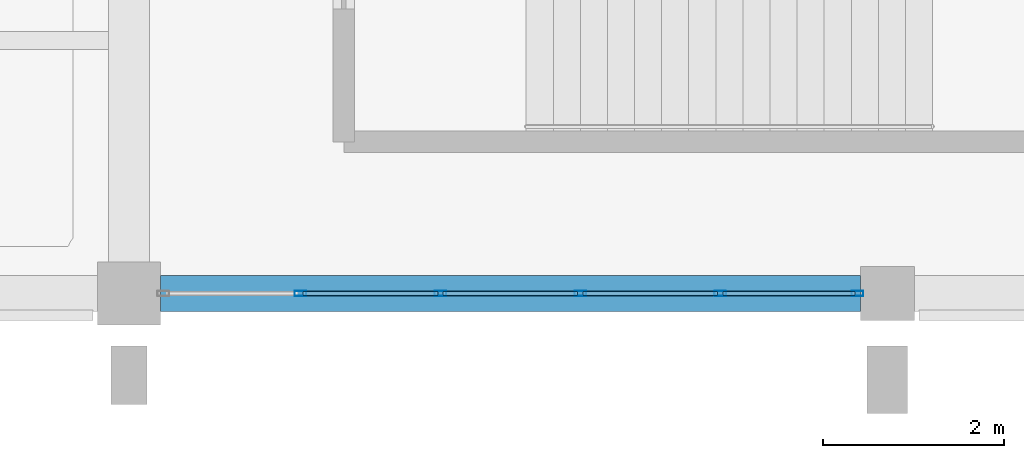
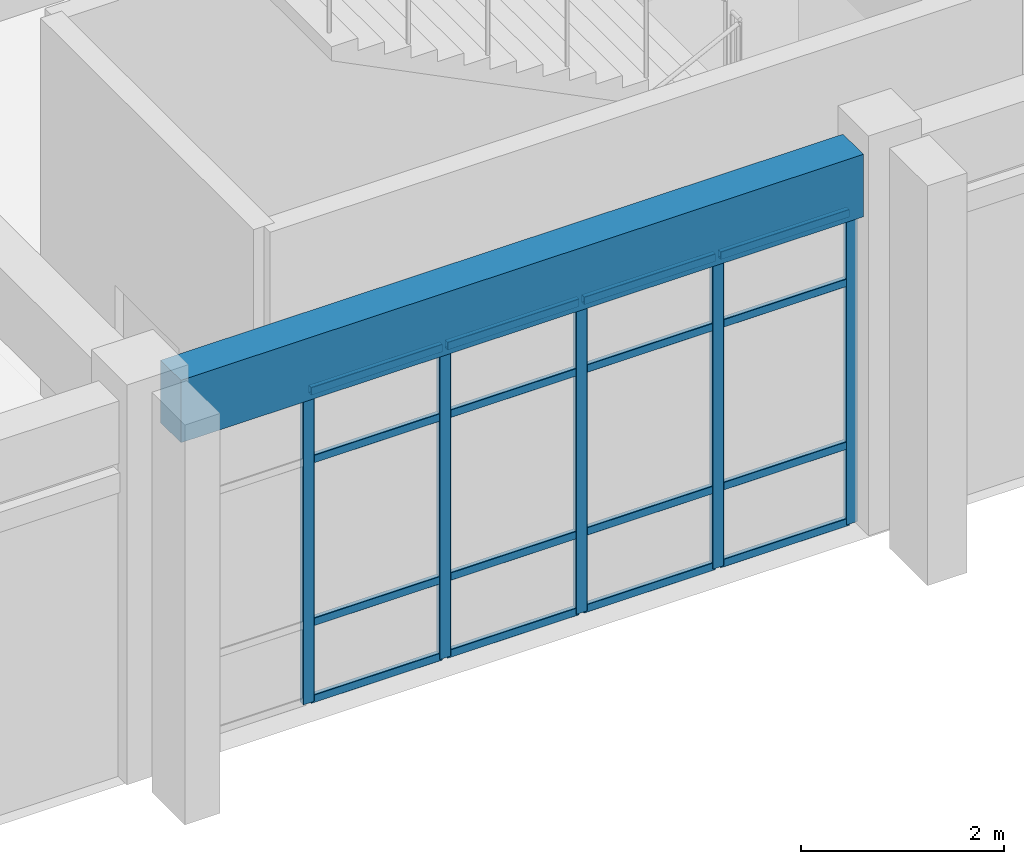
# One storey, part 28 of 98: 21 members, 1 beam, 1 element without a shape of its own.
"""IFC4 building model written with IfcOpenShell, lengths in metres."""

import ifcopenshell
import ifcopenshell.guid

model = None  # the IFC model being written
_history = None  # IfcOwnerHistory: only IFC2X3 demands one
_inside = {}  # id of a spatial element -> (the spatial element, [elements in it])
_under = {}  # id of a project, library or spatial element -> (it, [spatial elements below it])
_declared = {}  # id of a project -> (the project, [libraries it declares])
_typed = {}  # id of a type object -> (the type object, [elements of that type])
_made_of = {}  # id of a material, layer set ... -> (it, [elements and type objects made of it])


def new_model(schema):
    """Start an empty IFC model of exactly this schema.

    Asked for "IFC4X3", IfcOpenShell would pick the latest addendum, in which some entities
    have other attributes; the version numbers below select the first issue.
    IFC2X3 requires an IfcOwnerHistory on every rooted entity: one is made here for all.
    """
    global model, _history
    if schema == "IFC4X3":
        model = ifcopenshell.file(schema_version=(4, 3, 0, 0))
    else:
        model = ifcopenshell.file(schema=schema)
    _inside.clear()
    _under.clear()
    _declared.clear()
    _typed.clear()
    _made_of.clear()
    _history = None
    if model.schema == "IFC2X3":
        org = make("IfcOrganization", Name="unknown")
        user = make(
            "IfcPersonAndOrganization",
            ThePerson=make("IfcPerson", FamilyName="unknown"),
            TheOrganization=org,
        )
        app = make(
            "IfcApplication",
            ApplicationDeveloper=org,
            Version="unknown",
            ApplicationFullName="unknown",
            ApplicationIdentifier="unknown",
        )
        _history = make(
            "IfcOwnerHistory",
            OwningUser=user,
            OwningApplication=app,
            ChangeAction="ADDED",
            CreationDate=0,
        )
    return model


def make(cls, **values):
    """One entity of the class cls with the attributes given. An attribute that is None is left unset."""
    return model.create_entity(
        cls, **{name: value for name, value in values.items() if value is not None}
    )


def rooted(cls, **values):
    """An entity with a GlobalId (a new one), such as an element, a storey or a relation."""
    return make(cls, GlobalId=ifcopenshell.guid.new(), OwnerHistory=_history, **values)


def si_unit(unit_type, name, prefix=None):
    """IfcSIUnit, for example si_unit("LENGTHUNIT", "METRE", prefix="MILLI")."""
    return make("IfcSIUnit", UnitType=unit_type, Prefix=prefix, Name=name)


def assignment(units):
    """IfcUnitAssignment: the units of a project."""
    return None if units is None else make("IfcUnitAssignment", Units=units)


def point(xyz):
    """IfcCartesianPoint."""
    return None if xyz is None else make("IfcCartesianPoint", Coordinates=xyz)


def direction(xyz):
    """IfcDirection."""
    return None if xyz is None else make("IfcDirection", DirectionRatios=xyz)


def frame(location, z_axis=None, x_axis=None):
    """IfcAxis2Placement3D, a coordinate frame: its origin and axes. An axis left out is left unset."""
    return make(
        "IfcAxis2Placement3D",
        Location=point(location),
        Axis=direction(z_axis),
        RefDirection=direction(x_axis),
    )


def frame_2d(location, x_axis=None):
    """IfcAxis2Placement2D, a coordinate frame in the plane: its origin and x axis."""
    return make(
        "IfcAxis2Placement2D", Location=point(location), RefDirection=direction(x_axis)
    )


def origin():
    """The frame at (0, 0, 0) with its axes left unset."""
    return frame((0.0, 0.0, 0.0))


def origin_2d():
    """The frame at (0, 0) in the plane with its x axis left unset."""
    return frame_2d((0.0, 0.0))


def place(relative_to, where):
    """IfcLocalPlacement: puts the frame where relative to a parent placement (None: the world)."""
    return make(
        "IfcLocalPlacement", PlacementRelTo=relative_to, RelativePlacement=where
    )


def context(
    kind, dimensions, precision=None, world=None, true_north=None, identifier=None
):
    """IfcGeometricRepresentationContext, for example the 3D "Model" context."""
    return make(
        "IfcGeometricRepresentationContext",
        ContextIdentifier=identifier,
        ContextType=kind,
        CoordinateSpaceDimension=dimensions,
        Precision=precision,
        WorldCoordinateSystem=world,
        TrueNorth=true_north,
    )


def subcontext(parent, identifier, kind, view, scale=None):
    """IfcGeometricRepresentationSubContext, for example "Body" below "Model"."""
    return make(
        "IfcGeometricRepresentationSubContext",
        ContextIdentifier=identifier,
        ContextType=kind,
        ParentContext=parent,
        TargetScale=scale,
        TargetView=view,
    )


def project(units=None, contexts=None):
    """IfcProject with its units and contexts."""
    return rooted(
        "IfcProject",
        Name="project",
        RepresentationContexts=contexts,
        UnitsInContext=assignment(units),
    )


def spatial(cls, under=None, at=None, **own):
    """A site, building, storey or space (cls), placed at a placement, below another one or the project."""
    s = rooted(cls, ObjectPlacement=at, **own)
    if under is not None:
        _under.setdefault(under.id(), (under, []))[1].append(s)
    return s


def profile(cls, at=None, kind="AREA", **sizes):
    """A parametric profile (cls). Its sizes go by their IFC names, for example OverallWidth=200.0."""
    return make(cls, ProfileType=kind, Position=at, **sizes)


def rectangle(**sizes):
    """IfcRectangleProfileDef."""
    return profile("IfcRectangleProfileDef", **sizes)


def hollow_rectangle(**sizes):
    """IfcRectangleHollowProfileDef."""
    return profile("IfcRectangleHollowProfileDef", **sizes)


def extrude(swept, where, along, depth):
    """IfcExtrudedAreaSolid: the profile swept, set in the frame where, extruded along a direction by depth."""
    return make(
        "IfcExtrudedAreaSolid",
        SweptArea=swept,
        Position=where,
        ExtrudedDirection=direction(along),
        Depth=depth,
    )


def shape(context_of_items, identifier, shape_type, items):
    """IfcShapeRepresentation: the items that make up one representation, for example the "Body"."""
    return make(
        "IfcShapeRepresentation",
        ContextOfItems=context_of_items,
        RepresentationIdentifier=identifier,
        RepresentationType=shape_type,
        Items=items,
    )


def material(Name=None, Category=None):
    """IfcMaterial."""
    return make("IfcMaterial", Name=Name, Category=Category)


def material_profile(
    of_material, cross_section, Name=None, Category=None, Priority=None
):
    """IfcMaterialProfile: a cross section and its material."""
    return make(
        "IfcMaterialProfile",
        Name=Name,
        Material=of_material,
        Profile=cross_section,
        Priority=Priority,
        Category=Category,
    )


def profile_set(profiles, Name=None, composite=None):
    """IfcMaterialProfileSet."""
    return make(
        "IfcMaterialProfileSet",
        Name=Name,
        MaterialProfiles=profiles,
        CompositeProfile=composite,
    )


def made_of(thing, what):
    """Note that an element or type object is made of a material, layer set ...; save() writes the relation."""
    if what is not None:
        _made_of.setdefault(what.id(), (what, []))[1].append(thing)
    return thing


def type_object(cls, material=None, **own):
    """A type object (cls), such as IfcWallType, which elements share."""
    return made_of(rooted(cls, **own), material)


def element(
    cls,
    number,
    at=None,
    inside=None,
    cuts=None,
    type_object=None,
    material=None,
    context=None,
    identifier="Body",
    shape_type=None,
    held_by="IfcProductDefinitionShape",
    body=None,
    shapes=None,
    **own,
):
    """One element of the class cls, such as IfcWall. Its Tag is "e" and its number.

    at: its placement. inside: the storey or other place that contains it. cuts: it is an
    opening in that element (IfcRelVoidsElement). A single representation is given by context,
    identifier, shape_type and body (its items); several are given by shapes. held_by: the class
    of the entity that holds the representations. save() writes the other relations.
    """
    e = rooted(cls, Tag="e%d" % number, ObjectPlacement=at, **own)
    if body is not None:
        shapes = [shape(context, identifier, shape_type, body)]
    if shapes is not None:
        e.Representation = make(held_by, Representations=shapes)
    if inside is not None:
        _inside.setdefault(inside.id(), (inside, []))[1].append(e)
    if cuts is not None:
        rooted(
            "IfcRelVoidsElement", RelatingBuildingElement=cuts, RelatedOpeningElement=e
        )
    if type_object is not None:
        _typed.setdefault(type_object.id(), (type_object, []))[1].append(e)
    return made_of(e, material)


def aggregate(whole, parts):
    """IfcRelAggregates: a whole, such as a stair, and the parts it consists of."""
    return rooted("IfcRelAggregates", RelatingObject=whole, RelatedObjects=parts)


def save(model, path):
    """Write the relations noted so far, then the file.

    IfcRelAggregates (storeys below a building ...), IfcRelContainedInSpatialStructure (elements
    in a storey), IfcRelDefinesByType, IfcRelAssociatesMaterial and IfcRelDeclares: one each for
    every whole, place, type object, material and project.
    """
    for whole, parts in _under.values():
        aggregate(whole, parts)
    for where, things in _inside.values():
        rooted(
            "IfcRelContainedInSpatialStructure",
            RelatedElements=things,
            RelatingStructure=where,
        )
    for kind, things in _typed.values():
        rooted("IfcRelDefinesByType", RelatedObjects=things, RelatingType=kind)
    for what, things in _made_of.values():
        rooted("IfcRelAssociatesMaterial", RelatedObjects=things, RelatingMaterial=what)
    for by, libraries in _declared.values():
        rooted("IfcRelDeclares", RelatingContext=by, RelatedDefinitions=libraries)
    model.write(path)


model = new_model("IFC4")

# Units and contexts
model_context = context("Model", 3, precision=1e-05, world=origin(), true_north=direction((0.0, 1.0)))
body_context = subcontext(model_context, "Body", "Model", "MODEL_VIEW")
ifc_project = project(units=[si_unit("LENGTHUNIT", "METRE"), si_unit("AREAUNIT", "SQUARE_METRE"), si_unit("VOLUMEUNIT", "CUBIC_METRE"), si_unit("PLANEANGLEUNIT", "RADIAN"), si_unit("MASSUNIT", "GRAM", prefix="KILO")], contexts=[model_context])

# Site, building, storey
site_placement = place(None, origin())
site = spatial("IfcSite", under=ifc_project, at=site_placement, CompositionType="ELEMENT")
building_placement = place(site_placement, origin())
building = spatial("IfcBuilding", under=site, at=building_placement, Name="Canglan Escarpment Cableway Terminal", CompositionType="ELEMENT")
storey_placement = place(building_placement, frame((0.0, 0.0, 9.60009765625)))
storey = spatial("IfcBuildingStorey", under=building, at=storey_placement, Name="L02", CompositionType="ELEMENT", Elevation=9.60009765625)

# Curtain wall, members
ifc_material_1 = material(Name="Anodized bronze aluminium and Low-E double glazing", Category="aluminium")
curtain_wall_type = type_object("IfcCurtainWallType", Name="CW-BAY-7750x3750", PredefinedType="NOTDEFINED", material=ifc_material_1)
curtain_wall_placement = place(storey_placement, origin())
curtain_wall = element("IfcCurtainWall", 1, at=curtain_wall_placement, inside=storey, type_object=curtain_wall_type, Name="Classical bay-between-piers glazed curtain wall CW-07", PredefinedType="NOTDEFINED")
ifc_material_2 = material(Name="Thermally broken anodized aluminium 6063-T6", Category="aluminium")
ifc_material_profile_1 = material_profile(ifc_material_2, hollow_rectangle(XDim=0.06005859375, YDim=0.1298828125, WallThickness=0.0029296875, InnerFilletRadius=0.0029296875, OuterFilletRadius=0.006103515625, at=origin_2d()), Name="ALU-MULL 60x130x3")
ifc_profile_set_1 = profile_set([ifc_material_profile_1], Name="Thermally broken anodized aluminium 6063-T6")
member_type_1 = type_object("IfcMemberType", Name="CWM-01", PredefinedType="MULLION", material=ifc_profile_set_1)
member_1_placement = place(storey_placement, frame((121.800048828125, 8.0, 0.0), z_axis=(0.0, 0.0, 1.0), x_axis=(0.0, 1.0, 0.0)))
member_1 = element("IfcMember", 2, at=member_1_placement, type_object=member_type_1, Name="CW-07 mullion 2", PredefinedType="MULLION", context=body_context, shape_type="SweptSolid", body=[
    extrude(hollow_rectangle(XDim=0.06005859375, YDim=0.1298828125, WallThickness=0.0029296875, InnerFilletRadius=0.0029296875, OuterFilletRadius=0.006103515625, at=origin_2d()), origin(), (0.0, 0.0, 1.0), 3.7548828125),
])
member_2_placement = place(storey_placement, frame((123.35009765625, 8.0, 0.0), z_axis=(0.0, 0.0, 1.0), x_axis=(0.0, 1.0, 0.0)))
member_2 = element("IfcMember", 3, at=member_2_placement, type_object=member_type_1, Name="CW-07 mullion 3", PredefinedType="MULLION", context=body_context, shape_type="SweptSolid", body=[
    extrude(hollow_rectangle(XDim=0.06005859375, YDim=0.1298828125, WallThickness=0.0029296875, InnerFilletRadius=0.0029296875, OuterFilletRadius=0.006103515625, at=origin_2d()), origin(), (0.0, 0.0, 1.0), 3.7548828125),
])
member_3_placement = place(storey_placement, frame((124.89990234375, 8.0, 0.0), z_axis=(0.0, 0.0, 1.0), x_axis=(0.0, 1.0, 0.0)))
member_3 = element("IfcMember", 4, at=member_3_placement, type_object=member_type_1, Name="CW-07 mullion 4", PredefinedType="MULLION", context=body_context, shape_type="SweptSolid", body=[
    extrude(hollow_rectangle(XDim=0.06005859375, YDim=0.1298828125, WallThickness=0.0029296875, InnerFilletRadius=0.0029296875, OuterFilletRadius=0.006103515625, at=origin_2d()), origin(), (0.0, 0.0, 1.0), 3.7548828125),
])
member_4_placement = place(storey_placement, frame((126.449951171875, 8.0, 0.0), z_axis=(0.0, 0.0, 1.0), x_axis=(0.0, 1.0, 0.0)))
member_4 = element("IfcMember", 5, at=member_4_placement, type_object=member_type_1, Name="CW-07 mullion 5", PredefinedType="MULLION", context=body_context, shape_type="SweptSolid", body=[
    extrude(hollow_rectangle(XDim=0.06005859375, YDim=0.1298828125, WallThickness=0.0029296875, InnerFilletRadius=0.0029296875, OuterFilletRadius=0.006103515625, at=origin_2d()), origin(), (0.0, 0.0, 1.0), 3.7548828125),
])
member_5_placement = place(storey_placement, frame((127.969970703125, 8.0, 0.0), z_axis=(0.0, 0.0, 1.0), x_axis=(0.0, 1.0, 0.0)))
member_5 = element("IfcMember", 6, at=member_5_placement, type_object=member_type_1, Name="CW-07 mullion 6", PredefinedType="MULLION", context=body_context, shape_type="SweptSolid", body=[
    extrude(hollow_rectangle(XDim=0.06005859375, YDim=0.1298828125, WallThickness=0.0029296875, InnerFilletRadius=0.0029296875, OuterFilletRadius=0.006103515625, at=origin_2d()), origin(), (0.0, 0.0, 1.0), 3.7548828125),
])
ifc_material_profile_2 = material_profile(ifc_material_2, hollow_rectangle(XDim=0.054931640625, YDim=0.094970703125, WallThickness=0.0029296875, InnerFilletRadius=0.0029296875, OuterFilletRadius=0.006103515625, at=origin_2d()), Name="ALU-TRAN 55x95x3")
ifc_profile_set_2 = profile_set([ifc_material_profile_2], Name="Thermally broken anodized aluminium 6063-T6")
member_type_2 = type_object("IfcMemberType", Name="CWT-01", PredefinedType="USERDEFINED", material=ifc_profile_set_2)
member_6_placement = place(storey_placement, frame((121.830078125, 8.0, 0.02734375), z_axis=(1.0, 0.0, 0.0), x_axis=(0.0, 1.0, 0.0)))
member_6 = element("IfcMember", 7, at=member_6_placement, type_object=member_type_2, Name="CW-07 transom 2.1", ObjectType="TRANSOM", PredefinedType="USERDEFINED", context=body_context, shape_type="SweptSolid", body=[
    extrude(hollow_rectangle(XDim=0.054931640625, YDim=0.094970703125, WallThickness=0.0029296875, InnerFilletRadius=0.0029296875, OuterFilletRadius=0.006103515625, at=origin_2d()), origin(), (0.0, 0.0, 1.0), 1.489990234375),
])
member_7_placement = place(storey_placement, frame((121.830078125, 8.0, 0.949951171875), z_axis=(1.0, 0.0, 0.0), x_axis=(0.0, 1.0, 0.0)))
member_7 = element("IfcMember", 8, at=member_7_placement, type_object=member_type_2, Name="CW-07 transom 2.2", ObjectType="TRANSOM", PredefinedType="USERDEFINED", context=body_context, shape_type="SweptSolid", body=[
    extrude(hollow_rectangle(XDim=0.054931640625, YDim=0.094970703125, WallThickness=0.0029296875, InnerFilletRadius=0.0029296875, OuterFilletRadius=0.006103515625, at=origin_2d()), origin(), (0.0, 0.0, 1.0), 1.489990234375),
])
member_8_placement = place(storey_placement, frame((121.830078125, 8.0, 2.90478515625), z_axis=(1.0, 0.0, 0.0), x_axis=(0.0, 1.0, 0.0)))
member_8 = element("IfcMember", 9, at=member_8_placement, type_object=member_type_2, Name="CW-07 transom 2.3", ObjectType="TRANSOM", PredefinedType="USERDEFINED", context=body_context, shape_type="SweptSolid", body=[
    extrude(hollow_rectangle(XDim=0.054931640625, YDim=0.094970703125, WallThickness=0.0029296875, InnerFilletRadius=0.0029296875, OuterFilletRadius=0.006103515625, at=origin_2d()), origin(), (0.0, 0.0, 1.0), 1.489990234375),
])
member_9_placement = place(storey_placement, frame((121.830078125, 8.0, 3.727294921875), z_axis=(1.0, 0.0, 0.0), x_axis=(0.0, 1.0, 0.0)))
member_9 = element("IfcMember", 10, at=member_9_placement, type_object=member_type_2, Name="CW-07 transom 2.4", ObjectType="TRANSOM", PredefinedType="USERDEFINED", context=body_context, shape_type="SweptSolid", body=[
    extrude(hollow_rectangle(XDim=0.054931640625, YDim=0.094970703125, WallThickness=0.0029296875, InnerFilletRadius=0.0029296875, OuterFilletRadius=0.006103515625, at=origin_2d()), origin(), (0.0, 0.0, 1.0), 1.489990234375),
])
member_10_placement = place(storey_placement, frame((123.3798828125, 8.0, 0.02734375), z_axis=(1.0, 0.0, 0.0), x_axis=(0.0, 1.0, 0.0)))
member_10 = element("IfcMember", 11, at=member_10_placement, type_object=member_type_2, Name="CW-07 transom 3.1", ObjectType="TRANSOM", PredefinedType="USERDEFINED", context=body_context, shape_type="SweptSolid", body=[
    extrude(hollow_rectangle(XDim=0.054931640625, YDim=0.094970703125, WallThickness=0.0029296875, InnerFilletRadius=0.0029296875, OuterFilletRadius=0.006103515625, at=origin_2d()), origin(), (0.0, 0.0, 1.0), 1.490234375),
])
member_11_placement = place(storey_placement, frame((123.3798828125, 8.0, 0.949951171875), z_axis=(1.0, 0.0, 0.0), x_axis=(0.0, 1.0, 0.0)))
member_11 = element("IfcMember", 12, at=member_11_placement, type_object=member_type_2, Name="CW-07 transom 3.2", ObjectType="TRANSOM", PredefinedType="USERDEFINED", context=body_context, shape_type="SweptSolid", body=[
    extrude(hollow_rectangle(XDim=0.054931640625, YDim=0.094970703125, WallThickness=0.0029296875, InnerFilletRadius=0.0029296875, OuterFilletRadius=0.006103515625, at=origin_2d()), origin(), (0.0, 0.0, 1.0), 1.490234375),
])
member_12_placement = place(storey_placement, frame((123.3798828125, 8.0, 2.90478515625), z_axis=(1.0, 0.0, 0.0), x_axis=(0.0, 1.0, 0.0)))
member_12 = element("IfcMember", 13, at=member_12_placement, type_object=member_type_2, Name="CW-07 transom 3.3", ObjectType="TRANSOM", PredefinedType="USERDEFINED", context=body_context, shape_type="SweptSolid", body=[
    extrude(hollow_rectangle(XDim=0.054931640625, YDim=0.094970703125, WallThickness=0.0029296875, InnerFilletRadius=0.0029296875, OuterFilletRadius=0.006103515625, at=origin_2d()), origin(), (0.0, 0.0, 1.0), 1.490234375),
])
member_13_placement = place(storey_placement, frame((123.3798828125, 8.0, 3.727294921875), z_axis=(1.0, 0.0, 0.0), x_axis=(0.0, 1.0, 0.0)))
member_13 = element("IfcMember", 14, at=member_13_placement, type_object=member_type_2, Name="CW-07 transom 3.4", ObjectType="TRANSOM", PredefinedType="USERDEFINED", context=body_context, shape_type="SweptSolid", body=[
    extrude(hollow_rectangle(XDim=0.054931640625, YDim=0.094970703125, WallThickness=0.0029296875, InnerFilletRadius=0.0029296875, OuterFilletRadius=0.006103515625, at=origin_2d()), origin(), (0.0, 0.0, 1.0), 1.490234375),
])
member_14_placement = place(storey_placement, frame((124.929931640625, 8.0, 0.02734375), z_axis=(1.0, 0.0, 0.0), x_axis=(0.0, 1.0, 0.0)))
member_14 = element("IfcMember", 15, at=member_14_placement, type_object=member_type_2, Name="CW-07 transom 4.1", ObjectType="TRANSOM", PredefinedType="USERDEFINED", context=body_context, shape_type="SweptSolid", body=[
    extrude(hollow_rectangle(XDim=0.054931640625, YDim=0.094970703125, WallThickness=0.0029296875, InnerFilletRadius=0.0029296875, OuterFilletRadius=0.006103515625, at=origin_2d()), origin(), (0.0, 0.0, 1.0), 1.489990234375),
])
member_15_placement = place(storey_placement, frame((124.929931640625, 8.0, 0.949951171875), z_axis=(1.0, 0.0, 0.0), x_axis=(0.0, 1.0, 0.0)))
member_15 = element("IfcMember", 16, at=member_15_placement, type_object=member_type_2, Name="CW-07 transom 4.2", ObjectType="TRANSOM", PredefinedType="USERDEFINED", context=body_context, shape_type="SweptSolid", body=[
    extrude(hollow_rectangle(XDim=0.054931640625, YDim=0.094970703125, WallThickness=0.0029296875, InnerFilletRadius=0.0029296875, OuterFilletRadius=0.006103515625, at=origin_2d()), origin(), (0.0, 0.0, 1.0), 1.489990234375),
])
member_16_placement = place(storey_placement, frame((124.929931640625, 8.0, 2.90478515625), z_axis=(1.0, 0.0, 0.0), x_axis=(0.0, 1.0, 0.0)))
member_16 = element("IfcMember", 17, at=member_16_placement, type_object=member_type_2, Name="CW-07 transom 4.3", ObjectType="TRANSOM", PredefinedType="USERDEFINED", context=body_context, shape_type="SweptSolid", body=[
    extrude(hollow_rectangle(XDim=0.054931640625, YDim=0.094970703125, WallThickness=0.0029296875, InnerFilletRadius=0.0029296875, OuterFilletRadius=0.006103515625, at=origin_2d()), origin(), (0.0, 0.0, 1.0), 1.489990234375),
])
member_17_placement = place(storey_placement, frame((124.929931640625, 8.0, 3.727294921875), z_axis=(1.0, 0.0, 0.0), x_axis=(0.0, 1.0, 0.0)))
member_17 = element("IfcMember", 18, at=member_17_placement, type_object=member_type_2, Name="CW-07 transom 4.4", ObjectType="TRANSOM", PredefinedType="USERDEFINED", context=body_context, shape_type="SweptSolid", body=[
    extrude(hollow_rectangle(XDim=0.054931640625, YDim=0.094970703125, WallThickness=0.0029296875, InnerFilletRadius=0.0029296875, OuterFilletRadius=0.006103515625, at=origin_2d()), origin(), (0.0, 0.0, 1.0), 1.489990234375),
])
member_18_placement = place(storey_placement, frame((126.47998046875, 8.0, 0.02734375), z_axis=(1.0, 0.0, 0.0), x_axis=(0.0, 1.0, 0.0)))
member_18 = element("IfcMember", 19, at=member_18_placement, type_object=member_type_2, Name="CW-07 transom 5.1", ObjectType="TRANSOM", PredefinedType="USERDEFINED", context=body_context, shape_type="SweptSolid", body=[
    extrude(hollow_rectangle(XDim=0.054931640625, YDim=0.094970703125, WallThickness=0.0029296875, InnerFilletRadius=0.0029296875, OuterFilletRadius=0.006103515625, at=origin_2d()), origin(), (0.0, 0.0, 1.0), 1.4599609375),
])
member_19_placement = place(storey_placement, frame((126.47998046875, 8.0, 0.949951171875), z_axis=(1.0, 0.0, 0.0), x_axis=(0.0, 1.0, 0.0)))
member_19 = element("IfcMember", 20, at=member_19_placement, type_object=member_type_2, Name="CW-07 transom 5.2", ObjectType="TRANSOM", PredefinedType="USERDEFINED", context=body_context, shape_type="SweptSolid", body=[
    extrude(hollow_rectangle(XDim=0.054931640625, YDim=0.094970703125, WallThickness=0.0029296875, InnerFilletRadius=0.0029296875, OuterFilletRadius=0.006103515625, at=origin_2d()), origin(), (0.0, 0.0, 1.0), 1.4599609375),
])
member_20_placement = place(storey_placement, frame((126.47998046875, 8.0, 2.90478515625), z_axis=(1.0, 0.0, 0.0), x_axis=(0.0, 1.0, 0.0)))
member_20 = element("IfcMember", 21, at=member_20_placement, type_object=member_type_2, Name="CW-07 transom 5.3", ObjectType="TRANSOM", PredefinedType="USERDEFINED", context=body_context, shape_type="SweptSolid", body=[
    extrude(hollow_rectangle(XDim=0.054931640625, YDim=0.094970703125, WallThickness=0.0029296875, InnerFilletRadius=0.0029296875, OuterFilletRadius=0.006103515625, at=origin_2d()), origin(), (0.0, 0.0, 1.0), 1.4599609375),
])
member_21_placement = place(storey_placement, frame((126.47998046875, 8.0, 3.727294921875), z_axis=(1.0, 0.0, 0.0), x_axis=(0.0, 1.0, 0.0)))
member_21 = element("IfcMember", 22, at=member_21_placement, type_object=member_type_2, Name="CW-07 transom 5.4", ObjectType="TRANSOM", PredefinedType="USERDEFINED", context=body_context, shape_type="SweptSolid", body=[
    extrude(hollow_rectangle(XDim=0.054931640625, YDim=0.094970703125, WallThickness=0.0029296875, InnerFilletRadius=0.0029296875, OuterFilletRadius=0.006103515625, at=origin_2d()), origin(), (0.0, 0.0, 1.0), 1.4599609375),
])
aggregate(curtain_wall, [member_1, member_2, member_3, member_4, member_5, member_6, member_7, member_8, member_9, member_10, member_11, member_12, member_13, member_14, member_15, member_16, member_17, member_18, member_19, member_20, member_21])

# Beam
ifc_material_3 = material(Name="Concrete C40", Category="concrete")
ifc_material_profile_3 = material_profile(ifc_material_3, rectangle(XDim=0.39990234375, YDim=0.75, at=origin_2d()), Name="RC 400x750")
ifc_profile_set_3 = profile_set([ifc_material_profile_3], Name="Concrete C40")
beam_type = type_object("IfcBeamType", Name="SP-RC400x750", PredefinedType="SPANDREL", material=ifc_profile_set_3)
beam_placement = place(storey_placement, frame((120.25, 8.0, 4.14501953125), z_axis=(1.0, 0.0, 0.0), x_axis=(0.0, 1.0, 0.0)))
element("IfcBeam", 23, at=beam_placement, inside=storey, type_object=beam_type, Name="Primary structural girder SP-01", PredefinedType="SPANDREL", context=body_context, shape_type="SweptSolid", body=[
    extrude(rectangle(XDim=0.39990234375, YDim=0.75, at=origin_2d()), origin(), (0.0, 0.0, 1.0), 7.75),
])

save(model, "model.ifc")
